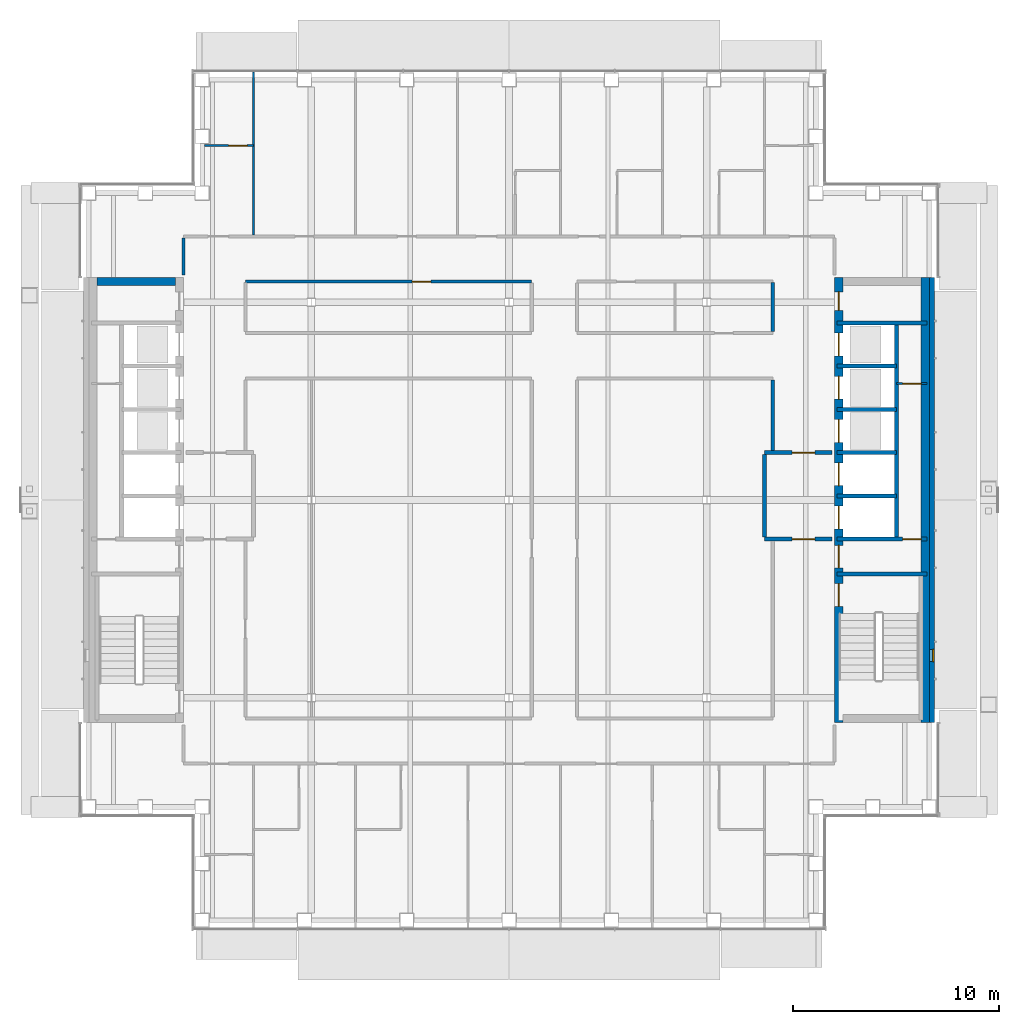
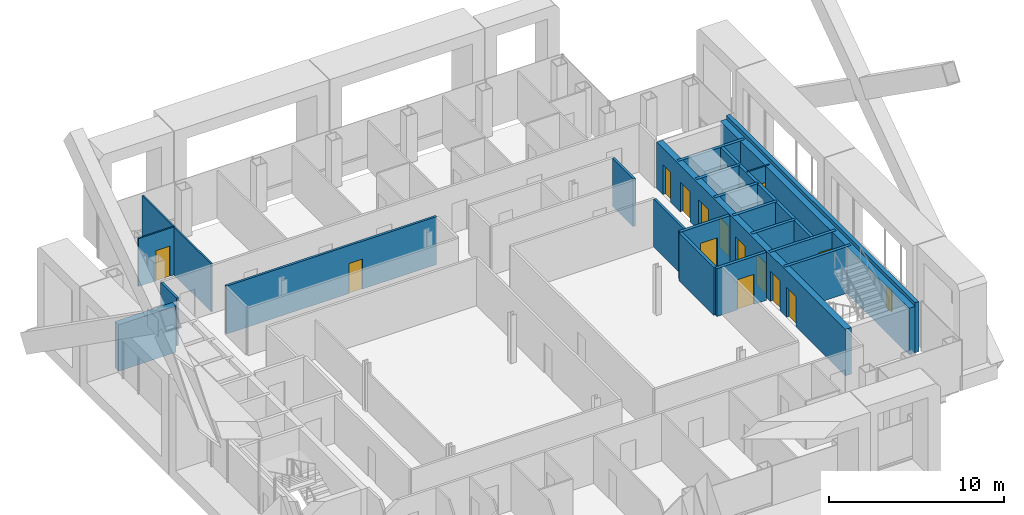
# One storey, part 13 of 21: 22 walls, 14 doors, 1 window, 15 openings.
"""IFC4 building model written with IfcOpenShell, lengths in metres."""

from ifc_helpers import new_model, si_unit, direction, frame, frame_2d, origin, place, context, subcontext, project, spatial, rectangle, extrude, material, layer, layer_set, type_object, element, fill, save


model = new_model("IFC4")

# Units and contexts
model_context = context("Model", 3, precision=1e-05, world=origin(), true_north=direction((0.0, 1.0)))
body_context = subcontext(model_context, "Body", "Model", "MODEL_VIEW")
ifc_project = project(units=[si_unit("LENGTHUNIT", "METRE"), si_unit("AREAUNIT", "SQUARE_METRE"), si_unit("VOLUMEUNIT", "CUBIC_METRE"), si_unit("PLANEANGLEUNIT", "RADIAN"), si_unit("MASSUNIT", "GRAM", prefix="KILO")], contexts=[model_context])

# Site, building, storey
site_placement = place(None, origin())
site = spatial("IfcSite", under=ifc_project, at=site_placement, CompositionType="ELEMENT")
building_placement = place(site_placement, origin())
building = spatial("IfcBuilding", under=site, at=building_placement, Name="Cobrizo Arcos Hotel Tower", CompositionType="ELEMENT")
storey_placement = place(building_placement, frame((0.0, 0.0, 212.0)))
storey = spatial("IfcBuildingStorey", under=building, at=storey_placement, Name="L55", CompositionType="ELEMENT", Elevation=212.0)

# Wall, opening, door
ifc_material_1 = material(Name="Gypsum board partition")
ifc_layer_1 = layer(ifc_material_1, 0.14990234375)
ifc_layer_set_1 = layer_set([ifc_layer_1], Name="Corridor wall EI 60 150")
wall_type_1 = type_object("IfcWallType", Name="Corridor wall EI 60 150", PredefinedType="PARTITIONING", material=ifc_layer_set_1)
wall_1_placement = place(storey_placement, frame((-12.800048828125, 10.60009765625, 0.0), z_axis=(0.0, 0.0, 1.0), x_axis=(1.0, 0.0, 0.0)))
wall_1 = element("IfcWall", 1, at=wall_1_placement, inside=storey, type_object=wall_type_1, Name="Partition 033", PredefinedType="PARTITIONING", context=body_context, shape_type="SweptSolid", body=[
    extrude(rectangle(XDim=13.900146484375, YDim=0.14990234375, at=frame_2d((6.9501953125, 0.0))), origin(), (0.0, 0.0, 1.0), 3.35009765625),
])
opening_1_placement = place(wall_1_placement, frame((8.10009765625, 0.0, 0.0)))
opening_1 = element("IfcOpeningElement", 2, at=opening_1_placement, cuts=wall_1, Name="Opening RD-10", PredefinedType="OPENING", context=body_context, shape_type="SweptSolid", body=[
    extrude(rectangle(XDim=0.89990234375, YDim=2.10009765625, at=frame_2d((0.449951171875, 1.050048828125))), frame((0.0, 0.0869140625, 0.0), z_axis=(0.0, -1.0, 0.0), x_axis=(1.0, 0.0, 0.0)), (0.0, 0.0, 1.0), 0.173828125),
])
ifc_material_2 = material(Name="Timber door leaf", Category="wood")
door_type_1 = type_object("IfcDoorType", Name="Room door FD30 900x2100", OperationType="SINGLE_SWING_LEFT", PredefinedType="DOOR", material=ifc_material_2)
door_1_placement = place(opening_1_placement, origin())
door_1 = element("IfcDoor", 3, at=door_1_placement, inside=storey, type_object=door_type_1, Name="Door RD-10", OperationType="SINGLE_SWING_RIGHT", OverallHeight=2.10009765625, OverallWidth=0.89990234375, PredefinedType="DOOR", context=body_context, shape_type="SweptSolid", body=[
    extrude(rectangle(XDim=0.89990234375, YDim=2.10009765625, at=frame_2d((0.449951171875, 1.050048828125))), frame((0.0, 0.02490234375, 0.0), z_axis=(0.0, -1.0, 0.0), x_axis=(1.0, 0.0, 0.0)), (0.0, 0.0, 1.0), 0.050048828125),
])
fill(opening_1, door_1)

# Walls
wall_2_placement = place(storey_placement, frame((-15.800048828125, 10.919921875, 0.0), z_axis=(0.0, 0.0, 1.0), x_axis=(0.0, 1.0, 0.0)))
element("IfcWall", 4, at=wall_2_placement, inside=storey, type_object=wall_type_1, Name="Partition 044", PredefinedType="PARTITIONING", context=body_context, shape_type="SweptSolid", body=[
    extrude(rectangle(XDim=1.80517578125, YDim=0.14990234375, at=frame_2d((0.902587890625, 0.0))), origin(), (0.0, 0.0, 1.0), 3.35009765625),
])
wall_3_placement = place(storey_placement, frame((12.800048828125, 2.39990234375, 0.0), z_axis=(0.0, 0.0, 1.0), x_axis=(0.0, 1.0, 0.0)))
element("IfcWall", 5, at=wall_3_placement, inside=storey, type_object=wall_type_1, Name="Partition 079", PredefinedType="PARTITIONING", context=body_context, shape_type="SweptSolid", body=[
    extrude(rectangle(XDim=3.425048828125, YDim=0.14990234375, at=frame_2d((1.71240234375, 0.0))), origin(), (0.0, 0.0, 1.0), 3.35009765625),
])
wall_4_placement = place(storey_placement, frame((12.800048828125, 8.175048828125, 0.0), z_axis=(0.0, 0.0, 1.0), x_axis=(0.0, 1.0, 0.0)))
element("IfcWall", 6, at=wall_4_placement, inside=storey, type_object=wall_type_1, Name="Partition 080", PredefinedType="PARTITIONING", context=body_context, shape_type="SweptSolid", body=[
    extrude(rectangle(XDim=2.375, YDim=0.14990234375, at=frame_2d((1.1875, 0.0))), origin(), (0.0, 0.0, 1.0), 3.35009765625),
])

# Wall, opening, window
ifc_material_3 = material(Name="Aluminium composite panel pale metal", Category="aluminium")
ifc_layer_2 = layer(ifc_material_3, 0.25)
ifc_layer_set_2 = layer_set([ifc_layer_2], Name="EW-1 insulated panel wall 250")
wall_type_2 = type_object("IfcWallType", Name="EW-1 insulated panel wall 250", PredefinedType="SOLIDWALL", material=ifc_layer_set_2)
wall_5_placement = place(storey_placement, frame((20.52490234375, -10.800048828125, 0.0), z_axis=(0.0, 0.0, 1.0), x_axis=(0.0, 1.0, 0.0)))
wall_5 = element("IfcWall", 7, at=wall_5_placement, inside=storey, type_object=wall_type_2, Name="Core face wall L55 E", PredefinedType="SOLIDWALL", context=body_context, shape_type="SweptSolid", body=[
    extrude(rectangle(XDim=21.60009765625, YDim=0.25, at=frame_2d((10.800048828125, 0.0))), origin(), (0.0, 0.0, 1.0), 3.5),
])
opening_2_placement = place(wall_5_placement, frame((2.949951171875, 0.0, 1.0)))
opening_2 = element("IfcOpeningElement", 8, at=opening_2_placement, cuts=wall_5, Name="Opening W-123", PredefinedType="OPENING", context=body_context, shape_type="SweptSolid", body=[
    extrude(rectangle(XDim=0.60009765625, YDim=1.5, at=frame_2d((0.300048828125, 0.75))), frame((0.0, 0.136962890625, 0.0), z_axis=(0.0, -1.0, 0.0), x_axis=(1.0, 0.0, 0.0)), (0.0, 0.0, 1.0), 0.27392578125),
])
ifc_material_4 = material(Name="Aluminium 6063-T6 and clear laminated glass", Category="aluminium")
window_type = type_object("IfcWindowType", Name="W-C1 core stair slot window 600x1500", PartitioningType="SINGLE_PANEL", PredefinedType="WINDOW", material=ifc_material_4)
window_placement = place(opening_2_placement, origin())
window = element("IfcWindow", 9, at=window_placement, inside=storey, type_object=window_type, Name="Core face wall L55 E window W-123", OverallHeight=1.5, OverallWidth=0.60009765625, PartitioningType="SINGLE_PANEL", PredefinedType="WINDOW", context=body_context, shape_type="SweptSolid", body=[
    extrude(rectangle(XDim=0.60009765625, YDim=1.5, at=frame_2d((0.300048828125, 0.75))), frame((0.0, -0.034912109375, 0.0), z_axis=(0.0, -1.0, 0.0), x_axis=(1.0, 0.0, 0.0)), (0.0, 0.0, 1.0), 0.06005859375),
])
fill(opening_2, window)

# Wall, opening, door
ifc_layer_3 = layer(ifc_material_1, 0.10009765625)
ifc_layer_set_3 = layer_set([ifc_layer_3], Name="Partition EI 30 100")
wall_type_3 = type_object("IfcWallType", Name="Partition EI 30 100", PredefinedType="PARTITIONING", material=ifc_layer_set_3)
wall_6_placement = place(storey_placement, frame((18.800048828125, 5.64990234375, 0.0), z_axis=(0.0, 0.0, 1.0), x_axis=(1.0, 0.0, 0.0)))
wall_6 = element("IfcWall", 10, at=wall_6_placement, inside=storey, type_object=wall_type_3, Name="Partition 024", PredefinedType="PARTITIONING", context=body_context, shape_type="SweptSolid", body=[
    extrude(rectangle(XDim=1.47998046875, YDim=0.10009765625, at=frame_2d((0.739990234375, 0.0))), origin(), (0.0, 0.0, 1.0), 3.25),
])
opening_3_placement = place(wall_6_placement, frame((0.300048828125, 0.0, 0.0)))
opening_3 = element("IfcOpeningElement", 11, at=opening_3_placement, cuts=wall_6, Name="Opening RD-05", PredefinedType="OPENING", context=body_context, shape_type="SweptSolid", body=[
    extrude(rectangle(XDim=0.89990234375, YDim=2.10009765625, at=frame_2d((0.449951171875, 1.050048828125))), frame((0.0, 0.06201171875, 0.0), z_axis=(0.0, -1.0, 0.0), x_axis=(1.0, 0.0, 0.0)), (0.0, 0.0, 1.0), 0.1240234375),
])
door_2_placement = place(opening_3_placement, origin())
door_2 = element("IfcDoor", 12, at=door_2_placement, inside=storey, type_object=door_type_1, Name="Door RD-05", OperationType="SINGLE_SWING_LEFT", OverallHeight=2.10009765625, OverallWidth=0.89990234375, PredefinedType="DOOR", context=body_context, shape_type="SweptSolid", body=[
    extrude(rectangle(XDim=0.89990234375, YDim=2.10009765625, at=frame_2d((0.449951171875, 1.050048828125))), frame((0.0, 0.02490234375, 0.0), z_axis=(0.0, -1.0, 0.0), x_axis=(1.0, 0.0, 0.0)), (0.0, 0.0, 1.0), 0.050048828125),
])
fill(opening_3, door_2)

wall_7_placement = place(storey_placement, frame((-14.780029296875, 17.199951171875, 0.0), z_axis=(0.0, 0.0, 1.0), x_axis=(1.0, 0.0, 0.0)))
wall_7 = element("IfcWall", 13, at=wall_7_placement, inside=storey, type_object=wall_type_3, Name="Partition 039", PredefinedType="PARTITIONING", context=body_context, shape_type="SweptSolid", body=[
    extrude(rectangle(XDim=2.380126953125, YDim=0.10009765625, at=frame_2d((1.18994140625, 0.0))), origin(), (0.0, 0.0, 1.0), 3.35009765625),
])
opening_4_placement = place(wall_7_placement, frame((1.16796875, 0.0, 0.0)))
opening_4 = element("IfcOpeningElement", 14, at=opening_4_placement, cuts=wall_7, Name="Opening ED-09", PredefinedType="OPENING", context=body_context, shape_type="SweptSolid", body=[
    extrude(rectangle(XDim=0.89990234375, YDim=2.10009765625, at=frame_2d((0.449951171875, 1.050048828125))), frame((0.0, 0.06201171875, 0.0), z_axis=(0.0, -1.0, 0.0), x_axis=(1.0, 0.0, 0.0)), (0.0, 0.0, 1.0), 0.1240234375),
])
door_type_2 = type_object("IfcDoorType", Name="En-suite door 900x2100", OperationType="SINGLE_SWING_LEFT", PredefinedType="DOOR", material=ifc_material_2)
door_3_placement = place(opening_4_placement, origin())
door_3 = element("IfcDoor", 15, at=door_3_placement, inside=storey, type_object=door_type_2, Name="Door ED-09", OperationType="SINGLE_SWING_RIGHT", OverallHeight=2.10009765625, OverallWidth=0.89990234375, PredefinedType="DOOR", context=body_context, shape_type="SweptSolid", body=[
    extrude(rectangle(XDim=0.89990234375, YDim=2.10009765625, at=frame_2d((0.449951171875, 1.050048828125))), frame((0.0, 0.02490234375, 0.0), z_axis=(0.0, -1.0, 0.0), x_axis=(1.0, 0.0, 0.0)), (0.0, 0.0, 1.0), 0.050048828125),
])
fill(opening_4, door_3)

# Wall
wall_8_placement = place(storey_placement, frame((-12.39990234375, 12.875, 0.0), z_axis=(0.0, 0.0, 1.0), x_axis=(0.0, 1.0, 0.0)))
element("IfcWall", 16, at=wall_8_placement, inside=storey, type_object=wall_type_3, Name="Partition 050", PredefinedType="PARTITIONING", context=body_context, shape_type="SweptSolid", body=[
    extrude(rectangle(XDim=7.905029296875, YDim=0.10009765625, at=frame_2d((3.95263671875, 0.0))), origin(), (0.0, 0.0, 1.0), 3.35009765625),
])

# Wall, openings, doors
ifc_material_5 = material(Name="Concrete f'c 40 MPa", Category="concrete")
ifc_layer_4 = layer(ifc_material_5, 0.39990234375)
ifc_layer_set_4 = layer_set([ifc_layer_4], Name="RC core wall 400 f'c 40")
wall_type_4 = type_object("IfcWallType", Name="RC core wall 400 f'c 40", PredefinedType="SHEAR", material=ifc_layer_set_4)
wall_9_placement = place(storey_placement, frame((16.0, -10.800048828125, 0.0), z_axis=(0.0, 0.0, 1.0), x_axis=(0.0, 1.0, 0.0)))
wall_9 = element("IfcWall", 17, at=wall_9_placement, inside=storey, type_object=wall_type_4, Name="Core wall CW4, east core, inner face, L55", PredefinedType="SHEAR", context=body_context, shape_type="SweptSolid", body=[
    extrude(rectangle(XDim=21.60009765625, YDim=0.39990234375, at=frame_2d((10.800048828125, 0.0))), origin(), (0.0, 0.0, 1.0), 3.25),
])
opening_5_placement = place(wall_9_placement, frame((9.39990234375, 0.0, 0.0)))
opening_5 = element("IfcOpeningElement", 18, at=opening_5_placement, cuts=wall_9, Name="Opening LD-06", PredefinedType="OPENING", context=body_context, shape_type="SweptSolid", body=[
    extrude(rectangle(XDim=1.10009765625, YDim=2.10009765625, at=frame_2d((0.550048828125, 1.050048828125))), frame((0.0, 0.2119140625, 0.0), z_axis=(0.0, -1.0, 0.0), x_axis=(1.0, 0.0, 0.0)), (0.0, 0.0, 1.0), 0.423828125),
])
opening_6_placement = place(wall_9_placement, frame((11.5, 0.0, 0.0)))
opening_6 = element("IfcOpeningElement", 19, at=opening_6_placement, cuts=wall_9, Name="Opening LD-07", PredefinedType="OPENING", context=body_context, shape_type="SweptSolid", body=[
    extrude(rectangle(XDim=1.10009765625, YDim=2.10009765625, at=frame_2d((0.550048828125, 1.050048828125))), frame((0.0, 0.2119140625, 0.0), z_axis=(0.0, -1.0, 0.0), x_axis=(1.0, 0.0, 0.0)), (0.0, 0.0, 1.0), 0.423828125),
])
opening_7_placement = place(wall_9_placement, frame((13.60009765625, 0.0, 0.0)))
opening_7 = element("IfcOpeningElement", 20, at=opening_7_placement, cuts=wall_9, Name="Opening LD-08", PredefinedType="OPENING", context=body_context, shape_type="SweptSolid", body=[
    extrude(rectangle(XDim=1.10009765625, YDim=2.10009765625, at=frame_2d((0.550048828125, 1.050048828125))), frame((0.0, 0.2119140625, 0.0), z_axis=(0.0, -1.0, 0.0), x_axis=(1.0, 0.0, 0.0)), (0.0, 0.0, 1.0), 0.423828125),
])
opening_8_placement = place(wall_9_placement, frame((15.699951171875, 0.0, 0.0)))
opening_8 = element("IfcOpeningElement", 21, at=opening_8_placement, cuts=wall_9, Name="Opening LD-09", PredefinedType="OPENING", context=body_context, shape_type="SweptSolid", body=[
    extrude(rectangle(XDim=1.10009765625, YDim=2.10009765625, at=frame_2d((0.550048828125, 1.050048828125))), frame((0.0, 0.2119140625, 0.0), z_axis=(0.0, -1.0, 0.0), x_axis=(1.0, 0.0, 0.0)), (0.0, 0.0, 1.0), 0.423828125),
])
opening_9_placement = place(wall_9_placement, frame((17.800048828125, 0.0, 0.0)))
opening_9 = element("IfcOpeningElement", 22, at=opening_9_placement, cuts=wall_9, Name="Opening LD-10", PredefinedType="OPENING", context=body_context, shape_type="SweptSolid", body=[
    extrude(rectangle(XDim=1.10009765625, YDim=2.10009765625, at=frame_2d((0.550048828125, 1.050048828125))), frame((0.0, 0.2119140625, 0.0), z_axis=(0.0, -1.0, 0.0), x_axis=(1.0, 0.0, 0.0)), (0.0, 0.0, 1.0), 0.423828125),
])
opening_10_placement = place(wall_9_placement, frame((5.64208984375, 0.0, 0.0)))
opening_10 = element("IfcOpeningElement", 23, at=opening_10_placement, cuts=wall_9, Name="Opening SD-02", PredefinedType="OPENING", context=body_context, shape_type="SweptSolid", body=[
    extrude(rectangle(XDim=1.10009765625, YDim=2.10009765625, at=frame_2d((0.550048828125, 1.050048828125))), frame((0.0, 0.2119140625, 0.0), z_axis=(0.0, -1.0, 0.0), x_axis=(1.0, 0.0, 0.0)), (0.0, 0.0, 1.0), 0.423828125),
])
opening_11_placement = place(wall_9_placement, frame((7.5, 0.0, 0.0)))
opening_11 = element("IfcOpeningElement", 24, at=opening_11_placement, cuts=wall_9, Name="Opening FD-04", PredefinedType="OPENING", context=body_context, shape_type="SweptSolid", body=[
    extrude(rectangle(XDim=1.10009765625, YDim=2.10009765625, at=frame_2d((0.550048828125, 1.050048828125))), frame((0.0, 0.2119140625, 0.0), z_axis=(0.0, -1.0, 0.0), x_axis=(1.0, 0.0, 0.0)), (0.0, 0.0, 1.0), 0.423828125),
])
opening_12_placement = place(wall_9_placement, frame((20.0, 0.0, 0.0)))
opening_12 = element("IfcOpeningElement", 25, at=opening_12_placement, cuts=wall_9, Name="Opening ED-01", PredefinedType="OPENING", context=body_context, shape_type="SweptSolid", body=[
    extrude(rectangle(XDim=0.89990234375, YDim=2.10009765625, at=frame_2d((0.449951171875, 1.050048828125))), frame((0.0, 0.2119140625, 0.0), z_axis=(0.0, -1.0, 0.0), x_axis=(1.0, 0.0, 0.0)), (0.0, 0.0, 1.0), 0.423828125),
])
door_4_placement = place(opening_12_placement, origin())
door_4 = element("IfcDoor", 26, at=door_4_placement, inside=storey, type_object=door_type_2, Name="Door ED-01", OperationType="SINGLE_SWING_RIGHT", OverallHeight=2.10009765625, OverallWidth=0.89990234375, PredefinedType="DOOR", context=body_context, shape_type="SweptSolid", body=[
    extrude(rectangle(XDim=0.89990234375, YDim=2.10009765625, at=frame_2d((0.449951171875, 1.050048828125))), frame((0.0, 0.02490234375, 0.0), z_axis=(0.0, -1.0, 0.0), x_axis=(1.0, 0.0, 0.0)), (0.0, 0.0, 1.0), 0.050048828125),
])
fill(opening_12, door_4)
ifc_material_6 = material(Name="Steel door leaf", Category="steel")
door_type_3 = type_object("IfcDoorType", Name="Fire door FD60 1100x2100", OperationType="SINGLE_SWING_LEFT", PredefinedType="DOOR", material=ifc_material_6)
door_5_placement = place(opening_11_placement, origin())
door_5 = element("IfcDoor", 27, at=door_5_placement, inside=storey, type_object=door_type_3, Name="Door FD-04", OperationType="SINGLE_SWING_LEFT", OverallHeight=2.10009765625, OverallWidth=1.10009765625, PredefinedType="DOOR", context=body_context, shape_type="SweptSolid", body=[
    extrude(rectangle(XDim=1.10009765625, YDim=2.10009765625, at=frame_2d((0.550048828125, 1.050048828125))), frame((0.0, 0.02490234375, 0.0), z_axis=(0.0, -1.0, 0.0), x_axis=(1.0, 0.0, 0.0)), (0.0, 0.0, 1.0), 0.050048828125),
])
fill(opening_11, door_5)
door_type_4 = type_object("IfcDoorType", Name="Lift landing door 1100x2100", OperationType="SLIDING_TO_LEFT", PredefinedType="DOOR", material=ifc_material_6)
door_6_placement = place(opening_5_placement, origin())
door_6 = element("IfcDoor", 28, at=door_6_placement, inside=storey, type_object=door_type_4, Name="Lift landing door LD-06", OperationType="SLIDING_TO_LEFT", OverallHeight=2.10009765625, OverallWidth=1.10009765625, PredefinedType="DOOR", context=body_context, shape_type="SweptSolid", body=[
    extrude(rectangle(XDim=1.10009765625, YDim=2.10009765625, at=frame_2d((0.550048828125, 1.050048828125))), frame((0.0, 0.02490234375, 0.0), z_axis=(0.0, -1.0, 0.0), x_axis=(1.0, 0.0, 0.0)), (0.0, 0.0, 1.0), 0.050048828125),
])
fill(opening_5, door_6)
door_7_placement = place(opening_6_placement, origin())
door_7 = element("IfcDoor", 29, at=door_7_placement, inside=storey, type_object=door_type_4, Name="Lift landing door LD-07", OperationType="SLIDING_TO_LEFT", OverallHeight=2.10009765625, OverallWidth=1.10009765625, PredefinedType="DOOR", context=body_context, shape_type="SweptSolid", body=[
    extrude(rectangle(XDim=1.10009765625, YDim=2.10009765625, at=frame_2d((0.550048828125, 1.050048828125))), frame((0.0, 0.02490234375, 0.0), z_axis=(0.0, -1.0, 0.0), x_axis=(1.0, 0.0, 0.0)), (0.0, 0.0, 1.0), 0.050048828125),
])
fill(opening_6, door_7)
door_8_placement = place(opening_7_placement, origin())
door_8 = element("IfcDoor", 30, at=door_8_placement, inside=storey, type_object=door_type_4, Name="Lift landing door LD-08", OperationType="SLIDING_TO_LEFT", OverallHeight=2.10009765625, OverallWidth=1.10009765625, PredefinedType="DOOR", context=body_context, shape_type="SweptSolid", body=[
    extrude(rectangle(XDim=1.10009765625, YDim=2.10009765625, at=frame_2d((0.550048828125, 1.050048828125))), frame((0.0, 0.02490234375, 0.0), z_axis=(0.0, -1.0, 0.0), x_axis=(1.0, 0.0, 0.0)), (0.0, 0.0, 1.0), 0.050048828125),
])
fill(opening_7, door_8)
door_9_placement = place(opening_8_placement, origin())
door_9 = element("IfcDoor", 31, at=door_9_placement, inside=storey, type_object=door_type_4, Name="Lift landing door LD-09", OperationType="SLIDING_TO_LEFT", OverallHeight=2.10009765625, OverallWidth=1.10009765625, PredefinedType="DOOR", context=body_context, shape_type="SweptSolid", body=[
    extrude(rectangle(XDim=1.10009765625, YDim=2.10009765625, at=frame_2d((0.550048828125, 1.050048828125))), frame((0.0, 0.02490234375, 0.0), z_axis=(0.0, -1.0, 0.0), x_axis=(1.0, 0.0, 0.0)), (0.0, 0.0, 1.0), 0.050048828125),
])
fill(opening_8, door_9)
door_10_placement = place(opening_9_placement, origin())
door_10 = element("IfcDoor", 32, at=door_10_placement, inside=storey, type_object=door_type_4, Name="Lift landing door LD-10", OperationType="SLIDING_TO_LEFT", OverallHeight=2.10009765625, OverallWidth=1.10009765625, PredefinedType="DOOR", context=body_context, shape_type="SweptSolid", body=[
    extrude(rectangle(XDim=1.10009765625, YDim=2.10009765625, at=frame_2d((0.550048828125, 1.050048828125))), frame((0.0, 0.02490234375, 0.0), z_axis=(0.0, -1.0, 0.0), x_axis=(1.0, 0.0, 0.0)), (0.0, 0.0, 1.0), 0.050048828125),
])
fill(opening_9, door_10)
door_type_5 = type_object("IfcDoorType", Name="Stair door FD60S 1100x2100", OperationType="SINGLE_SWING_LEFT", PredefinedType="DOOR", material=ifc_material_6)
door_11_placement = place(opening_10_placement, origin())
door_11 = element("IfcDoor", 33, at=door_11_placement, inside=storey, type_object=door_type_5, Name="Door SD-02", OperationType="SINGLE_SWING_LEFT", OverallHeight=2.10009765625, OverallWidth=1.10009765625, PredefinedType="DOOR", context=body_context, shape_type="SweptSolid", body=[
    extrude(rectangle(XDim=1.10009765625, YDim=2.10009765625, at=frame_2d((0.550048828125, 1.050048828125))), frame((0.0, 0.02490234375, 0.0), z_axis=(0.0, -1.0, 0.0), x_axis=(1.0, 0.0, 0.0)), (0.0, 0.0, 1.0), 0.050048828125),
])
fill(opening_10, door_11)

# Walls
wall_10_placement = place(storey_placement, frame((20.199951171875, -10.800048828125, 0.0), z_axis=(0.0, 0.0, 1.0), x_axis=(0.0, 1.0, 0.0)))
element("IfcWall", 34, at=wall_10_placement, inside=storey, type_object=wall_type_4, Name="Core wall CW4, east core, outer face, L55", PredefinedType="SHEAR", context=body_context, shape_type="SweptSolid", body=[
    extrude(rectangle(XDim=21.60009765625, YDim=0.39990234375, at=frame_2d((10.800048828125, 0.0))), origin(), (0.0, 0.0, 1.0), 3.25),
])
wall_11_placement = place(storey_placement, frame((-20.0, 10.60009765625, 0.0), z_axis=(0.0, 0.0, 1.0), x_axis=(1.0, 0.0, 0.0)))
element("IfcWall", 35, at=wall_11_placement, inside=storey, type_object=wall_type_4, Name="Core wall CW4, west core, north end, L55", PredefinedType="SHEAR", context=body_context, shape_type="SweptSolid", body=[
    extrude(rectangle(XDim=3.800048828125, YDim=0.39990234375, at=frame_2d((1.89990234375, 0.0))), origin(), (0.0, 0.0, 1.0), 3.25),
])

# Wall, opening, door
ifc_layer_5 = layer(ifc_material_1, 0.199951171875)
ifc_layer_set_5 = layer_set([ifc_layer_5], Name="Shaft wall EI 120 200")
wall_type_5 = type_object("IfcWallType", Name="Shaft wall EI 120 200", PredefinedType="PARTITIONING", material=ifc_layer_set_5)
wall_12_placement = place(storey_placement, frame((12.39990234375, -1.89990234375, 0.0), z_axis=(0.0, 0.0, 1.0), x_axis=(1.0, 0.0, 0.0)))
wall_12 = element("IfcWall", 36, at=wall_12_placement, inside=storey, type_object=wall_type_5, Name="Partition 013", PredefinedType="PARTITIONING", context=body_context, shape_type="SweptSolid", body=[
    extrude(rectangle(XDim=3.280029296875, YDim=0.199951171875, at=frame_2d((1.64013671875, 0.0))), origin(), (0.0, 0.0, 1.0), 3.35009765625),
])
opening_13_placement = place(wall_12_placement, frame((1.340087890625, 0.0, 0.0)))
opening_13 = element("IfcOpeningElement", 37, at=opening_13_placement, cuts=wall_12, Name="Opening FD-06", PredefinedType="OPENING", context=body_context, shape_type="SweptSolid", body=[
    extrude(rectangle(XDim=1.10009765625, YDim=2.10009765625, at=frame_2d((0.550048828125, 1.050048828125))), frame((0.0, 0.112060546875, 0.0), z_axis=(0.0, -1.0, 0.0), x_axis=(1.0, 0.0, 0.0)), (0.0, 0.0, 1.0), 0.223876953125),
])
door_12_placement = place(opening_13_placement, origin())
door_12 = element("IfcDoor", 38, at=door_12_placement, inside=storey, type_object=door_type_3, Name="Door FD-06", OperationType="SINGLE_SWING_RIGHT", OverallHeight=2.10009765625, OverallWidth=1.10009765625, PredefinedType="DOOR", context=body_context, shape_type="SweptSolid", body=[
    extrude(rectangle(XDim=1.10009765625, YDim=2.10009765625, at=frame_2d((0.550048828125, 1.050048828125))), frame((0.0, 0.02490234375, 0.0), z_axis=(0.0, -1.0, 0.0), x_axis=(1.0, 0.0, 0.0)), (0.0, 0.0, 1.0), 0.050048828125),
])
fill(opening_13, door_12)

wall_13_placement = place(storey_placement, frame((15.919921875, -1.89990234375, 0.0), z_axis=(0.0, 0.0, 1.0), x_axis=(1.0, 0.0, 0.0)))
wall_13 = element("IfcWall", 39, at=wall_13_placement, inside=storey, type_object=wall_type_5, Name="Partition 014", PredefinedType="PARTITIONING", context=body_context, shape_type="SweptSolid", body=[
    extrude(rectangle(XDim=4.360107421875, YDim=0.199951171875, at=frame_2d((2.18017578125, 0.0))), origin(), (0.0, 0.0, 1.0), 3.25),
])
opening_14_placement = place(wall_13_placement, frame((3.179931640625, 0.0, 0.0)))
opening_14 = element("IfcOpeningElement", 40, at=opening_14_placement, cuts=wall_13, Name="Opening RD-04", PredefinedType="OPENING", context=body_context, shape_type="SweptSolid", body=[
    extrude(rectangle(XDim=0.89990234375, YDim=2.10009765625, at=frame_2d((0.449951171875, 1.050048828125))), frame((0.0, 0.112060546875, 0.0), z_axis=(0.0, -1.0, 0.0), x_axis=(1.0, 0.0, 0.0)), (0.0, 0.0, 1.0), 0.223876953125),
])
door_13_placement = place(opening_14_placement, origin())
door_13 = element("IfcDoor", 41, at=door_13_placement, inside=storey, type_object=door_type_1, Name="Door RD-04", OperationType="SINGLE_SWING_LEFT", OverallHeight=2.10009765625, OverallWidth=0.89990234375, PredefinedType="DOOR", context=body_context, shape_type="SweptSolid", body=[
    extrude(rectangle(XDim=0.89990234375, YDim=2.10009765625, at=frame_2d((0.449951171875, 1.050048828125))), frame((0.0, 0.02490234375, 0.0), z_axis=(0.0, -1.0, 0.0), x_axis=(1.0, 0.0, 0.0)), (0.0, 0.0, 1.0), 0.050048828125),
])
fill(opening_14, door_13)

# Wall
wall_14_placement = place(storey_placement, frame((15.919921875, 0.199951171875, 0.0), z_axis=(0.0, 0.0, 1.0), x_axis=(1.0, 0.0, 0.0)))
element("IfcWall", 42, at=wall_14_placement, inside=storey, type_object=wall_type_5, Name="Partition 016", PredefinedType="PARTITIONING", context=body_context, shape_type="SweptSolid", body=[
    extrude(rectangle(XDim=2.880126953125, YDim=0.199951171875, at=frame_2d((1.43994140625, 0.0))), origin(), (0.0, 0.0, 1.0), 3.25),
])

# Wall, opening, door
wall_15_placement = place(storey_placement, frame((12.39990234375, 2.300048828125, 0.0), z_axis=(0.0, 0.0, 1.0), x_axis=(1.0, 0.0, 0.0)))
wall_15 = element("IfcWall", 43, at=wall_15_placement, inside=storey, type_object=wall_type_5, Name="Partition 019", PredefinedType="PARTITIONING", context=body_context, shape_type="SweptSolid", body=[
    extrude(rectangle(XDim=3.280029296875, YDim=0.199951171875, at=frame_2d((1.64013671875, 0.0))), origin(), (0.0, 0.0, 1.0), 3.35009765625),
])
opening_15_placement = place(wall_15_placement, frame((1.340087890625, 0.0, 0.0)))
opening_15 = element("IfcOpeningElement", 44, at=opening_15_placement, cuts=wall_15, Name="Opening FD-05", PredefinedType="OPENING", context=body_context, shape_type="SweptSolid", body=[
    extrude(rectangle(XDim=1.10009765625, YDim=2.10009765625, at=frame_2d((0.550048828125, 1.050048828125))), frame((0.0, 0.112060546875, 0.0), z_axis=(0.0, -1.0, 0.0), x_axis=(1.0, 0.0, 0.0)), (0.0, 0.0, 1.0), 0.223876953125),
])
door_14_placement = place(opening_15_placement, origin())
door_14 = element("IfcDoor", 45, at=door_14_placement, inside=storey, type_object=door_type_3, Name="Door FD-05", OperationType="SINGLE_SWING_LEFT", OverallHeight=2.10009765625, OverallWidth=1.10009765625, PredefinedType="DOOR", context=body_context, shape_type="SweptSolid", body=[
    extrude(rectangle(XDim=1.10009765625, YDim=2.10009765625, at=frame_2d((0.550048828125, 1.050048828125))), frame((0.0, 0.02490234375, 0.0), z_axis=(0.0, -1.0, 0.0), x_axis=(1.0, 0.0, 0.0)), (0.0, 0.0, 1.0), 0.050048828125),
])
fill(opening_15, door_14)

# Walls
for number, where, z_axis, x_axis, name in (
    (46, (15.919921875, 2.300048828125, 0.0), (0.0, 0.0, 1.0), (1.0, 0.0, 0.0), "Partition 020"),
    (47, (15.919921875, 4.39990234375, 0.0), (0.0, 0.0, 1.0), (1.0, 0.0, 0.0), "Partition 022"),
    (48, (15.919921875, 6.5, 0.0), (0.0, 0.0, 1.0), (1.0, 0.0, 0.0), "Partition 028"),
):
    element("IfcWall", number, at=place(storey_placement, frame(where, z_axis=z_axis, x_axis=x_axis)), inside=storey, type_object=wall_type_5, Name=name, PredefinedType="PARTITIONING", context=body_context, shape_type="SweptSolid", body=[
        extrude(rectangle(XDim=2.880126953125, YDim=0.199951171875, at=frame_2d((1.43994140625, 0.0))), origin(), (0.0, 0.0, 1.0), 3.25),
    ])
wall_16_placement = place(storey_placement, frame((15.919921875, 8.60009765625, 0.0), z_axis=(0.0, 0.0, 1.0), x_axis=(1.0, 0.0, 0.0)))
element("IfcWall", 49, at=wall_16_placement, inside=storey, type_object=wall_type_5, Name="Partition 032", PredefinedType="PARTITIONING", context=body_context, shape_type="SweptSolid", body=[
    extrude(rectangle(XDim=4.360107421875, YDim=0.199951171875, at=frame_2d((2.18017578125, 0.0))), origin(), (0.0, 0.0, 1.0), 3.25),
])
wall_17_placement = place(storey_placement, frame((12.39990234375, -1.800048828125, 0.0), z_axis=(0.0, 0.0, 1.0), x_axis=(0.0, 1.0, 0.0)))
element("IfcWall", 50, at=wall_17_placement, inside=storey, type_object=wall_type_5, Name="Partition 076", PredefinedType="PARTITIONING", context=body_context, shape_type="SweptSolid", body=[
    extrude(rectangle(XDim=4.0, YDim=0.199951171875, at=frame_2d((2.0, 0.0))), origin(), (0.0, 0.0, 1.0), 3.35009765625),
])
wall_18_placement = place(storey_placement, frame((18.800048828125, -1.800048828125, 0.0), z_axis=(0.0, 0.0, 1.0), x_axis=(0.0, 1.0, 0.0)))
element("IfcWall", 51, at=wall_18_placement, inside=storey, type_object=wall_type_5, Name="Partition 083", PredefinedType="PARTITIONING", context=body_context, shape_type="SweptSolid", body=[
    extrude(rectangle(XDim=10.300048828125, YDim=0.199951171875, at=frame_2d((5.14990234375, 0.0))), origin(), (0.0, 0.0, 1.0), 3.25),
])
ifc_layer_6 = layer(ifc_material_5, 0.199951171875)
ifc_layer_set_6 = layer_set([ifc_layer_6], Name="Stair shaft wall 200")
wall_type_6 = type_object("IfcWallType", Name="Stair shaft wall 200", PredefinedType="SHEAR", material=ifc_layer_set_6)
wall_19_placement = place(storey_placement, frame((15.919921875, -3.60009765625, 0.0), z_axis=(0.0, 0.0, 1.0), x_axis=(1.0, 0.0, 0.0)))
element("IfcWall", 52, at=wall_19_placement, inside=storey, type_object=wall_type_6, Name="Stair shaft wall E", PredefinedType="SHEAR", context=body_context, shape_type="SweptSolid", body=[
    extrude(rectangle(XDim=4.360107421875, YDim=0.199951171875, at=frame_2d((2.18017578125, 0.0))), origin(), (0.0, 0.0, 1.0), 3.25),
])

save(model, "model.ifc")
